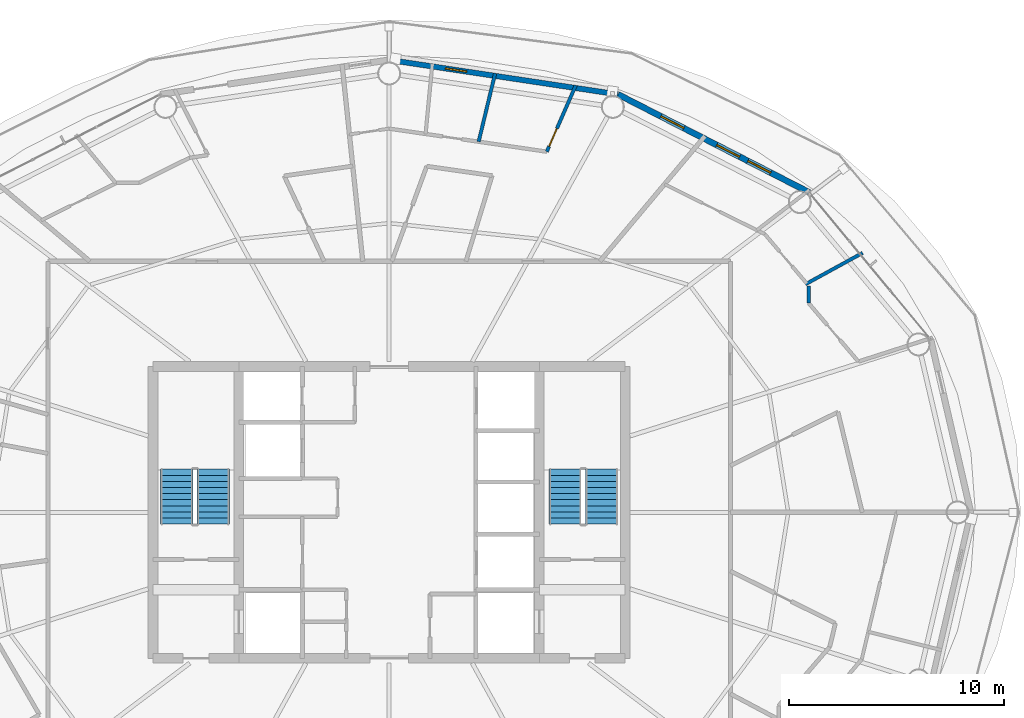
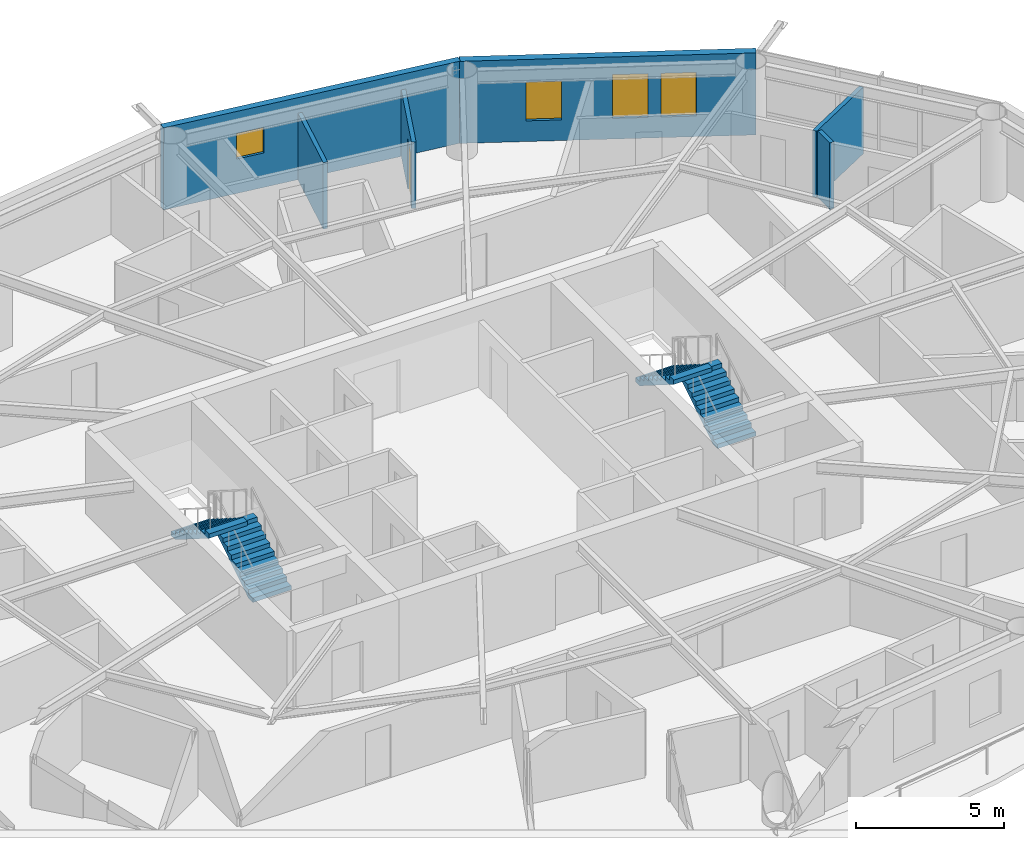
# One storey, part 25 of 28: 6 walls, 4 stair flights, 4 windows, 1 door, 5 openings, 2 elements without a shape of their own.
"""IFC4 building model written with IfcOpenShell, lengths in metres."""

from ifc_helpers import new_model, si_unit, direction, frame, frame_2d, origin, place, context, subcontext, project, spatial, polyline, rectangle, outline, extrude, material, layer, layer_set, type_object, element, fill, aggregate, save


model = new_model("IFC4")

# Units and contexts
model_context = context("Model", 3, precision=1e-05, world=origin(), true_north=direction((0.0, 1.0)))
body_context = subcontext(model_context, "Body", "Model", "MODEL_VIEW")
ifc_project = project(units=[si_unit("LENGTHUNIT", "METRE"), si_unit("AREAUNIT", "SQUARE_METRE"), si_unit("VOLUMEUNIT", "CUBIC_METRE"), si_unit("PLANEANGLEUNIT", "RADIAN"), si_unit("MASSUNIT", "GRAM", prefix="KILO")], contexts=[model_context])

# Site, building, storey
site_placement = place(None, origin())
site = spatial("IfcSite", under=ifc_project, at=site_placement, CompositionType="ELEMENT")
building_placement = place(site_placement, origin())
building = spatial("IfcBuilding", under=site, at=building_placement, Name="Sarneth Arch Tower", CompositionType="ELEMENT")
storey_placement = place(building_placement, frame((0.0, 0.0, 172.199951171875)))
storey = spatial("IfcBuildingStorey", under=building, at=storey_placement, Name="L43", CompositionType="ELEMENT", Elevation=172.199951171875)

# Wall, opening, window
ifc_material_1 = material(Name="Extruded terracotta rainscreen on Concrete C40/50 backing", Category="masonry")
ifc_layer_1 = layer(ifc_material_1, 0.25)
ifc_layer_set_1 = layer_set([ifc_layer_1], Name="Extruded terracotta rainscreen on Concrete C40/50 backing")
wall_type_1 = type_object("IfcWallType", Name="WALL-EXT-SPAND-250", PredefinedType="SOLIDWALL", material=ifc_layer_set_1)
wall_1_placement = place(storey_placement, frame((58.662841796875, 61.475341796875, 0.0), z_axis=(0.0, 0.0, 1.0), x_axis=(-0.988863993413, 0.148822049884, 0.0)))
wall_1 = element("IfcWall", 1, at=wall_1_placement, inside=storey, type_object=wall_type_1, Name="L43 Terracotta perimeter wall 04", PredefinedType="SOLIDWALL", context=body_context, shape_type="SweptSolid", body=[
    extrude(rectangle(XDim=10.782958984375, YDim=0.25, at=frame_2d((5.3916015625, 0.0))), origin(), (0.0, 0.0, 1.0), 3.380126953125),
])
opening_1_placement = place(wall_1_placement, frame((7.131591796875, 0.0, 1.419921875)))
opening_1 = element("IfcOpeningElement", 2, at=opening_1_placement, cuts=wall_1, Name="Opening W-14", PredefinedType="OPENING", context=body_context, shape_type="SweptSolid", body=[
    extrude(rectangle(XDim=1.0, YDim=1.050048828125, at=frame_2d((0.5, 0.52490234375))), frame((0.0, 0.135009765625, 0.0), z_axis=(0.0, -1.0, 0.0), x_axis=(1.0, 0.0, 0.0)), (0.0, 0.0, 1.0), 0.27001953125),
])
ifc_material_2 = material(Name="Thermally broken Aluminium 6063-T6 and low-e laminated IGU", Category="aluminium")
window_type_1 = type_object("IfcWindowType", Name="WIN-TWR-1000x1050", PartitioningType="SINGLE_PANEL", PredefinedType="WINDOW", material=ifc_material_2)
window_1_placement = place(opening_1_placement, origin())
window_1 = element("IfcWindow", 3, at=window_1_placement, inside=storey, type_object=window_type_1, Name="L43 Dwelling bedroom window 01", OverallHeight=1.050048828125, OverallWidth=1.0, PartitioningType="SINGLE_PANEL", PredefinedType="WINDOW", context=body_context, shape_type="SweptSolid", body=[
    extrude(rectangle(XDim=1.0, YDim=1.050048828125, at=frame_2d((0.5, 0.52490234375))), frame((0.0, 0.030029296875, 0.0), z_axis=(0.0, -1.0, 0.0), x_axis=(1.0, 0.0, 0.0)), (0.0, 0.0, 1.0), 0.06005859375),
])
fill(opening_1, window_1)

# Wall, openings, windows
ifc_material_3 = material(Name="Extruded terracotta rainscreen on Concrete C40/50 backing", Category="masonry")
ifc_layer_2 = layer(ifc_material_3, 0.280029296875)
ifc_layer_set_2 = layer_set([ifc_layer_2], Name="Extruded terracotta rainscreen on Concrete C40/50 backing")
wall_type_2 = type_object("IfcWallType", Name="WALL-EXT-TERRA-280", PredefinedType="SOLIDWALL", material=ifc_layer_set_2)
wall_2_placement = place(storey_placement, frame((67.576171875, 56.90576171875, 0.0), z_axis=(0.0, 0.0, 1.0), x_axis=(-0.889872523182, 0.456209263919, 0.0)))
wall_2 = element("IfcWall", 4, at=wall_2_placement, inside=storey, type_object=wall_type_2, Name="L43 Terracotta perimeter wall 03", PredefinedType="SOLIDWALL", context=body_context, shape_type="SweptSolid", body=[
    extrude(rectangle(XDim=10.016357421875, YDim=0.280029296875, at=frame_2d((5.00830078125, 0.0))), origin(), (0.0, 0.0, 1.0), 3.380126953125),
])
opening_2_placement = place(wall_2_placement, frame((2.019287109375, 0.0, 0.85009765625)))
opening_2 = element("IfcOpeningElement", 5, at=opening_2_placement, cuts=wall_2, Name="Opening W-09", PredefinedType="OPENING", context=body_context, shape_type="SweptSolid", body=[
    extrude(rectangle(XDim=1.199951171875, YDim=1.800048828125, at=frame_2d((0.60009765625, 0.89990234375))), frame((0.0, 0.14990234375, 0.0), z_axis=(0.0, -1.0, 0.0), x_axis=(1.0, 0.0, 0.0)), (0.0, 0.0, 1.0), 0.300048828125),
])
opening_3_placement = place(wall_2_placement, frame((3.6484375, 0.0, 0.85009765625)))
opening_3 = element("IfcOpeningElement", 6, at=opening_3_placement, cuts=wall_2, Name="Opening W-09", PredefinedType="OPENING", context=body_context, shape_type="SweptSolid", body=[
    extrude(rectangle(XDim=1.199951171875, YDim=1.800048828125, at=frame_2d((0.60009765625, 0.89990234375))), frame((0.0, 0.14990234375, 0.0), z_axis=(0.0, -1.0, 0.0), x_axis=(1.0, 0.0, 0.0)), (0.0, 0.0, 1.0), 0.300048828125),
])
opening_4_placement = place(wall_2_placement, frame((6.5712890625, 0.0, 0.85009765625)))
opening_4 = element("IfcOpeningElement", 7, at=opening_4_placement, cuts=wall_2, Name="Opening W-10", PredefinedType="OPENING", context=body_context, shape_type="SweptSolid", body=[
    extrude(rectangle(XDim=1.199951171875, YDim=1.60009765625, at=frame_2d((0.60009765625, 0.800048828125))), frame((0.0, 0.14990234375, 0.0), z_axis=(0.0, -1.0, 0.0), x_axis=(1.0, 0.0, 0.0)), (0.0, 0.0, 1.0), 0.300048828125),
])
ifc_material_4 = material(Name="Thermally broken Aluminium 6063-T6 and low-e laminated IGU", Category="aluminium")
window_type_2 = type_object("IfcWindowType", Name="WIN-TWR-1200x1600", PartitioningType="SINGLE_PANEL", PredefinedType="WINDOW", material=ifc_material_4)
window_2_placement = place(opening_4_placement, origin())
window_2 = element("IfcWindow", 8, at=window_2_placement, inside=storey, type_object=window_type_2, Name="L43 Exterior window 03C", OverallHeight=1.60009765625, OverallWidth=1.199951171875, PartitioningType="SINGLE_PANEL", PredefinedType="WINDOW", context=body_context, shape_type="SweptSolid", body=[
    extrude(rectangle(XDim=1.199951171875, YDim=1.60009765625, at=frame_2d((0.60009765625, 0.800048828125))), frame((0.0, 0.030029296875, 0.0), z_axis=(0.0, -1.0, 0.0), x_axis=(1.0, 0.0, 0.0)), (0.0, 0.0, 1.0), 0.06005859375),
])
fill(opening_4, window_2)
ifc_material_5 = material(Name="Thermally broken Aluminium 6063-T6 and low-e laminated IGU", Category="aluminium")
window_type_3 = type_object("IfcWindowType", Name="WIN-TWR-1200x1800", PartitioningType="SINGLE_PANEL", PredefinedType="WINDOW", material=ifc_material_5)
window_3_placement = place(opening_2_placement, origin())
window_3 = element("IfcWindow", 9, at=window_3_placement, inside=storey, type_object=window_type_3, Name="L43 Exterior window 03A", OverallHeight=1.800048828125, OverallWidth=1.199951171875, PartitioningType="SINGLE_PANEL", PredefinedType="WINDOW", context=body_context, shape_type="SweptSolid", body=[
    extrude(rectangle(XDim=1.199951171875, YDim=1.800048828125, at=frame_2d((0.60009765625, 0.89990234375))), frame((0.0, 0.030029296875, 0.0), z_axis=(0.0, -1.0, 0.0), x_axis=(1.0, 0.0, 0.0)), (0.0, 0.0, 1.0), 0.06005859375),
])
fill(opening_2, window_3)
window_4_placement = place(opening_3_placement, origin())
window_4 = element("IfcWindow", 10, at=window_4_placement, inside=storey, type_object=window_type_3, Name="L43 Exterior window 03B", OverallHeight=1.800048828125, OverallWidth=1.199951171875, PartitioningType="SINGLE_PANEL", PredefinedType="WINDOW", context=body_context, shape_type="SweptSolid", body=[
    extrude(rectangle(XDim=1.199951171875, YDim=1.800048828125, at=frame_2d((0.60009765625, 0.89990234375))), frame((0.0, 0.030029296875, 0.0), z_axis=(0.0, -1.0, 0.0), x_axis=(1.0, 0.0, 0.0)), (0.0, 0.0, 1.0), 0.06005859375),
])
fill(opening_3, window_4)

# Wall, opening, door
ifc_material_6 = material(Name="Kitchen wet service chase wall", Category="gypsum")
ifc_layer_3 = layer(ifc_material_6, 0.159912109375)
ifc_layer_set_3 = layer_set([ifc_layer_3], Name="Kitchen wet service chase wall")
wall_type_3 = type_object("IfcWallType", Name="WALL-PLUMB-160", PredefinedType="PLUMBINGWALL", material=ifc_layer_set_3)
wall_3_placement = place(storey_placement, frame((56.692138671875, 61.88916015625, 0.0), z_axis=(0.0, 0.0, 1.0), x_axis=(-0.400476274623, -0.916307128349, 0.0)))
wall_3 = element("IfcWall", 11, at=wall_3_placement, inside=storey, type_object=wall_type_3, Name="L43 Interior partition W-L43-TP-037", PredefinedType="PLUMBINGWALL", context=body_context, shape_type="SweptSolid", body=[
    extrude(rectangle(XDim=3.365234375, YDim=0.159912109375, at=frame_2d((1.6826171875, 0.0))), origin(), (0.0, 0.0, 1.0), 2.739990234375),
])
opening_5_placement = place(wall_3_placement, frame((2.1923828125, 0.0, 0.0)))
opening_5 = element("IfcOpeningElement", 12, at=opening_5_placement, cuts=wall_3, Name="Opening ID-01", PredefinedType="OPENING", context=body_context, shape_type="SweptSolid", body=[
    extrude(rectangle(XDim=0.89990234375, YDim=2.10009765625, at=frame_2d((0.449951171875, 1.050048828125))), frame((0.0, 0.08984375, 0.0), z_axis=(0.0, -1.0, 0.0), x_axis=(1.0, 0.0, 0.0)), (0.0, 0.0, 1.0), 0.179931640625),
])
ifc_material_7 = material(Name="Engineered hardwood flush door", Category="wood")
door_type = type_object("IfcDoorType", Name="DR-INT-900", OperationType="SINGLE_SWING_LEFT", PredefinedType="DOOR", material=ifc_material_7)
door_placement = place(opening_5_placement, origin())
door = element("IfcDoor", 13, at=door_placement, inside=storey, type_object=door_type, Name="L43 Interior door DR-L43-U2-KIT", OperationType="SINGLE_SWING_LEFT", OverallHeight=2.10009765625, OverallWidth=0.89990234375, PredefinedType="DOOR", context=body_context, shape_type="SweptSolid", body=[
    extrude(rectangle(XDim=0.89990234375, YDim=2.10009765625, at=frame_2d((0.449951171875, 1.050048828125))), frame((0.0, 0.02490234375, 0.0), z_axis=(0.0, -1.0, 0.0), x_axis=(1.0, 0.0, 0.0)), (0.0, 0.0, 1.0), 0.050048828125),
])
fill(opening_5, door)

# Walls
wall_4_placement = place(storey_placement, frame((52.939697265625, 62.45751953125, 0.0), z_axis=(0.0, 0.0, 1.0), x_axis=(-0.23474970119, -0.972055851169, 0.0)))
element("IfcWall", 14, at=wall_4_placement, inside=storey, type_object=wall_type_3, Name="L43 Interior partition W-L43-TP-047", PredefinedType="PLUMBINGWALL", context=body_context, shape_type="SweptSolid", body=[
    extrude(rectangle(XDim=3.279052734375, YDim=0.159912109375, at=frame_2d((1.6396484375, 0.0))), origin(), (0.0, 0.0, 1.0), 2.739990234375),
])
wall_5_placement = place(storey_placement, frame((67.395751953125, 52.629150390625, 0.0), z_axis=(0.0, 0.0, 1.0), x_axis=(0.876959960956, 0.4805634473, 0.0)))
element("IfcWall", 15, at=wall_5_placement, inside=storey, type_object=wall_type_3, Name="L43 Interior partition W-L43-TP-033", PredefinedType="PLUMBINGWALL", context=body_context, shape_type="SweptSolid", body=[
    extrude(rectangle(XDim=3.037109375, YDim=0.159912109375, at=frame_2d((1.5185546875, 0.0))), origin(), (0.0, 0.0, 1.0), 2.739990234375),
])
wall_6_placement = place(storey_placement, frame((67.550048828125, 51.744384765625, 0.0), z_axis=(0.0, 0.0, 1.0), x_axis=(0.0, 1.0, 0.0)))
element("IfcWall", 16, at=wall_6_placement, inside=storey, type_object=wall_type_3, Name="L43 Interior partition W-L43-TP-023", PredefinedType="PLUMBINGWALL", context=body_context, shape_type="SweptSolid", body=[
    extrude(rectangle(XDim=0.812255859375, YDim=0.159912109375, at=frame_2d((0.40625, 0.0))), origin(), (0.0, 0.0, 1.0), 2.739990234375),
])

# Stair, stair flights
ifc_material_8 = material(Name="Concrete C50/60", Category="concrete")
stair_type = type_object("IfcStairType", Name="STAIR-CORE-RC", PredefinedType="HALF_TURN_STAIR", material=ifc_material_8)
stair_1_placement = place(storey_placement, origin())
stair_1 = element("IfcStair", 17, at=stair_1_placement, inside=storey, type_object=stair_type, Name="L43 Core Exit Stair 1", PredefinedType="HALF_TURN_STAIR")
ifc_material_9 = material(Name="Concrete C50/60", Category="concrete")
stair_flight_type = type_object("IfcStairFlightType", Name="FLIGHT-RC-1500", PredefinedType="STRAIGHT", material=ifc_material_9)
stair_flight_1_placement = place(storey_placement, frame((39.800048828125, 41.449951171875, 0.0), z_axis=(0.0, 0.0, 1.0), x_axis=(0.0, 1.0, 0.0)))
stair_flight_1 = element("IfcStairFlight", 18, at=stair_flight_1_placement, type_object=stair_flight_type, Name="ST-1 flight 1", NumberOfRisers=10, NumberOfTreads=9, PredefinedType="STRAIGHT", RiserHeight=0.18, TreadLength=0.285, context=body_context, shape_type="SweptSolid", body=[
    extrude(outline(polyline([(0.0, 0.0), (0.0, 0.179931640625), (0.284912109375, 0.179931640625), (0.284912109375, 0.360107421875), (0.570068359375, 0.360107421875), (0.570068359375, 0.5400390625), (0.85498046875, 0.5400390625), (0.85498046875, 0.719970703125), (1.139892578125, 0.719970703125), (1.139892578125, 0.89990234375), (1.425048828125, 0.89990234375), (1.425048828125, 1.080078125), (1.7099609375, 1.080078125), (1.7099609375, 1.260009765625), (1.9951171875, 1.260009765625), (1.9951171875, 1.43994140625), (2.280029296875, 1.43994140625), (2.280029296875, 1.6201171875), (2.56494140625, 1.6201171875), (2.56494140625, 1.800048828125), (2.56494140625, 1.442626953125), (0.28076171875, 0.0), (0.0, 0.0)])), frame((0.0, 0.75, 0.0), z_axis=(0.0, -1.0, 0.0), x_axis=(1.0, 0.0, 0.0)), (0.0, 0.0, 1.0), 1.5),
])
stair_flight_2_placement = place(storey_placement, frame((38.10009765625, 44.014892578125, 1.800048828125), z_axis=(0.0, 0.0, 1.0), x_axis=(0.0, -1.0, 0.0)))
stair_flight_2 = element("IfcStairFlight", 19, at=stair_flight_2_placement, type_object=stair_flight_type, Name="ST-1 flight 2", NumberOfRisers=10, NumberOfTreads=9, PredefinedType="STRAIGHT", RiserHeight=0.18, TreadLength=0.285, context=body_context, shape_type="SweptSolid", body=[
    extrude(outline(polyline([(0.0, 0.0), (0.0, 0.179931640625), (0.284912109375, 0.179931640625), (0.284912109375, 0.360107421875), (0.570068359375, 0.360107421875), (0.570068359375, 0.5400390625), (0.85498046875, 0.5400390625), (0.85498046875, 0.719970703125), (1.139892578125, 0.719970703125), (1.139892578125, 0.89990234375), (1.425048828125, 0.89990234375), (1.425048828125, 1.080078125), (1.7099609375, 1.080078125), (1.7099609375, 1.260009765625), (1.9951171875, 1.260009765625), (1.9951171875, 1.43994140625), (2.280029296875, 1.43994140625), (2.280029296875, 1.6201171875), (2.56494140625, 1.6201171875), (2.56494140625, 1.800048828125), (2.56494140625, 1.442626953125), (0.28076171875, 0.0), (0.0, 0.0)])), frame((0.0, 0.75, 0.0), z_axis=(0.0, -1.0, 0.0), x_axis=(1.0, 0.0, 0.0)), (0.0, 0.0, 1.0), 1.5),
])
aggregate(stair_1, [stair_flight_1, stair_flight_2])

stair_2_placement = place(storey_placement, origin())
stair_2 = element("IfcStair", 20, at=stair_2_placement, inside=storey, type_object=stair_type, Name="L43 Core Exit Stair 2", PredefinedType="HALF_TURN_STAIR")
stair_flight_3_placement = place(storey_placement, frame((57.89990234375, 41.449951171875, 0.0), z_axis=(0.0, 0.0, 1.0), x_axis=(0.0, 1.0, 0.0)))
stair_flight_3 = element("IfcStairFlight", 21, at=stair_flight_3_placement, type_object=stair_flight_type, Name="ST-2 flight 1", NumberOfRisers=10, NumberOfTreads=9, PredefinedType="STRAIGHT", RiserHeight=0.18, TreadLength=0.285, context=body_context, shape_type="SweptSolid", body=[
    extrude(outline(polyline([(0.0, 0.0), (0.0, 0.179931640625), (0.284912109375, 0.179931640625), (0.284912109375, 0.360107421875), (0.570068359375, 0.360107421875), (0.570068359375, 0.5400390625), (0.85498046875, 0.5400390625), (0.85498046875, 0.719970703125), (1.139892578125, 0.719970703125), (1.139892578125, 0.89990234375), (1.425048828125, 0.89990234375), (1.425048828125, 1.080078125), (1.7099609375, 1.080078125), (1.7099609375, 1.260009765625), (1.9951171875, 1.260009765625), (1.9951171875, 1.43994140625), (2.280029296875, 1.43994140625), (2.280029296875, 1.6201171875), (2.56494140625, 1.6201171875), (2.56494140625, 1.800048828125), (2.56494140625, 1.442626953125), (0.28076171875, 0.0), (0.0, 0.0)])), frame((0.0, 0.75, 0.0), z_axis=(0.0, -1.0, 0.0), x_axis=(1.0, 0.0, 0.0)), (0.0, 0.0, 1.0), 1.5),
])
stair_flight_4_placement = place(storey_placement, frame((56.199951171875, 44.014892578125, 1.800048828125), z_axis=(0.0, 0.0, 1.0), x_axis=(0.0, -1.0, 0.0)))
stair_flight_4 = element("IfcStairFlight", 22, at=stair_flight_4_placement, type_object=stair_flight_type, Name="ST-2 flight 2", NumberOfRisers=10, NumberOfTreads=9, PredefinedType="STRAIGHT", RiserHeight=0.18, TreadLength=0.285, context=body_context, shape_type="SweptSolid", body=[
    extrude(outline(polyline([(0.0, 0.0), (0.0, 0.179931640625), (0.284912109375, 0.179931640625), (0.284912109375, 0.360107421875), (0.570068359375, 0.360107421875), (0.570068359375, 0.5400390625), (0.85498046875, 0.5400390625), (0.85498046875, 0.719970703125), (1.139892578125, 0.719970703125), (1.139892578125, 0.89990234375), (1.425048828125, 0.89990234375), (1.425048828125, 1.080078125), (1.7099609375, 1.080078125), (1.7099609375, 1.260009765625), (1.9951171875, 1.260009765625), (1.9951171875, 1.43994140625), (2.280029296875, 1.43994140625), (2.280029296875, 1.6201171875), (2.56494140625, 1.6201171875), (2.56494140625, 1.800048828125), (2.56494140625, 1.442626953125), (0.28076171875, 0.0), (0.0, 0.0)])), frame((0.0, 0.75, 0.0), z_axis=(0.0, -1.0, 0.0), x_axis=(1.0, 0.0, 0.0)), (0.0, 0.0, 1.0), 1.5),
])
aggregate(stair_2, [stair_flight_3, stair_flight_4])

save(model, "model.ifc")
